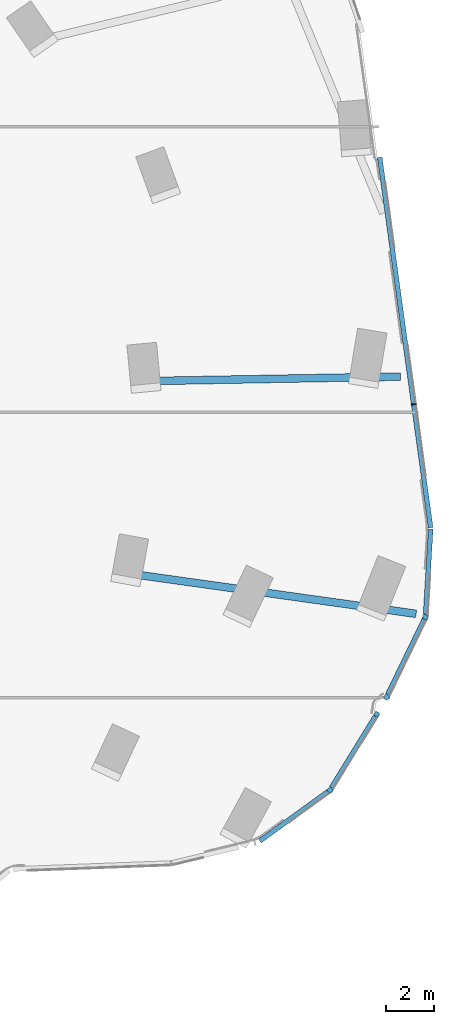
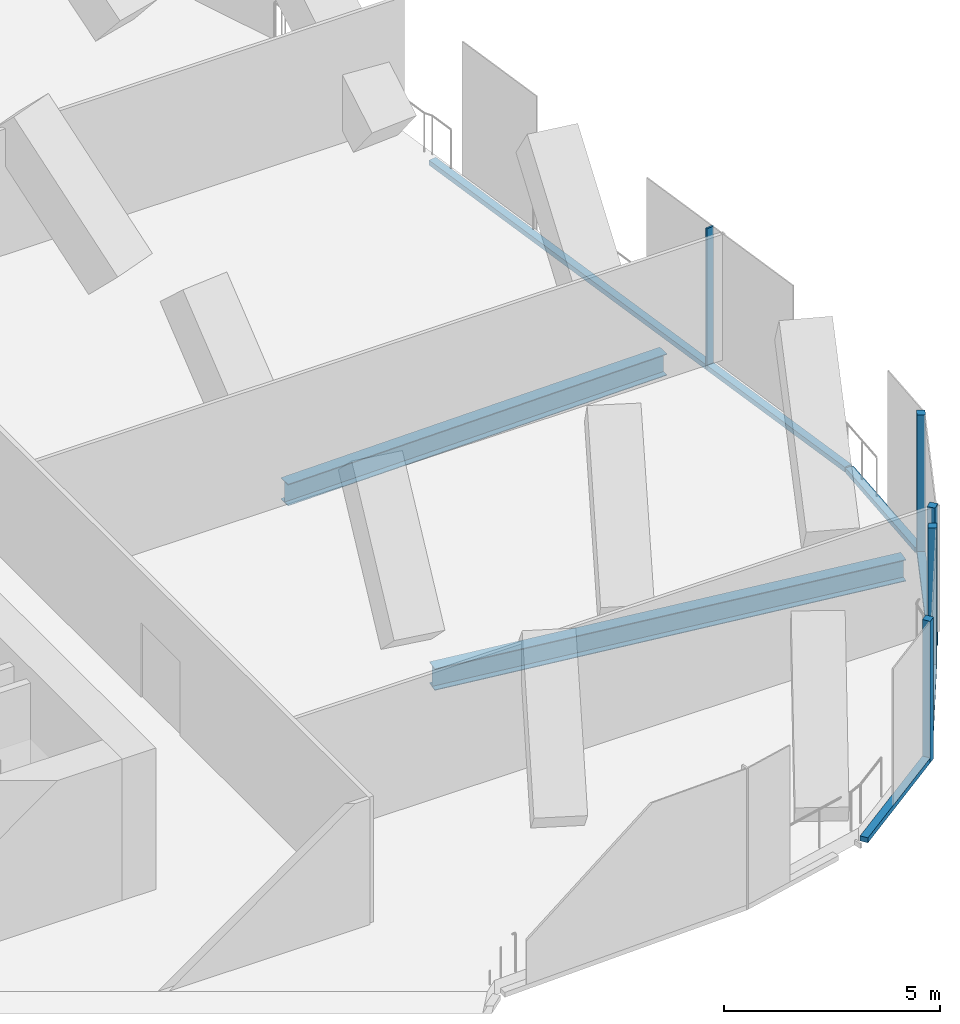
# One storey, part 8 of 29: 10 members, 2 beams, 5 elements without a shape of their own.
"""IFC4 building model written with IfcOpenShell, lengths in metres."""

from ifc_helpers import new_model, si_unit, direction, frame, origin, origin_2d, place, context, subcontext, project, spatial, rectangle, i_section, extrude, material, material_profile, profile_set, type_object, element, aggregate, save


model = new_model("IFC4")

# Units and contexts
model_context = context("Model", 3, precision=1e-05, world=origin(), true_north=direction((0.0, 1.0)))
body_context = subcontext(model_context, "Body", "Model", "MODEL_VIEW")
ifc_project = project(units=[si_unit("LENGTHUNIT", "METRE"), si_unit("AREAUNIT", "SQUARE_METRE"), si_unit("VOLUMEUNIT", "CUBIC_METRE"), si_unit("PLANEANGLEUNIT", "RADIAN"), si_unit("MASSUNIT", "GRAM", prefix="KILO")], contexts=[model_context])

# Site, building, storey
site_placement = place(None, origin())
site = spatial("IfcSite", under=ifc_project, at=site_placement, CompositionType="ELEMENT")
building_placement = place(site_placement, origin())
building = spatial("IfcBuilding", under=site, at=building_placement, Name="Orlundy Tower", CompositionType="ELEMENT")
storey_placement = place(building_placement, frame((0.0, 0.0, 184.60009765625)))
storey = spatial("IfcBuildingStorey", under=building, at=storey_placement, Name="L48", CompositionType="ELEMENT", Elevation=184.60009765625)

# Beams
ifc_material_1 = material(Name="Steel ASTM A992 Gr 50", Category="steel")
ifc_material_profile_1 = material_profile(ifc_material_1, i_section(OverallWidth=0.32373046875, OverallDepth=0.611083984375, WebThickness=0.0126953125, FlangeThickness=0.01904296875, at=origin_2d()), Name="W24X104")
ifc_profile_set_1 = profile_set([ifc_material_profile_1], Name="Steel ASTM A992 Gr 50")
beam_type = type_object("IfcBeamType", Name="CANTILEVER GIRDER beam W24X104", PredefinedType="BEAM", material=ifc_profile_set_1)
beam_1_placement = place(storey_placement, frame((41.038818359375, -8.47412109375, -0.7255859375), z_axis=(-0.990342201898, 0.138644592897, 0.0), x_axis=(-0.138644592897, -0.990342201898, 0.0)))
element("IfcBeam", 1, at=beam_1_placement, inside=storey, type_object=beam_type, Name="Cantilever girder C-A2-5 L48", PredefinedType="BEAM", context=body_context, shape_type="SweptSolid", body=[
    extrude(i_section(OverallWidth=0.32373046875, OverallDepth=0.611083984375, WebThickness=0.0126953125, FlangeThickness=0.01904296875, at=origin_2d()), origin(), (0.0, 0.0, 1.0), 11.7822265625),
])
beam_2_placement = place(storey_placement, frame((40.374755859375, 1.497314453125, -0.7255859375), z_axis=(-0.999845804584, -0.017560383147, 0.0), x_axis=(0.017560383147, -0.999845804584, 0.0)))
element("IfcBeam", 2, at=beam_2_placement, inside=storey, type_object=beam_type, Name="Cantilever girder C-A3-5 L48", PredefinedType="BEAM", context=body_context, shape_type="SweptSolid", body=[
    extrude(i_section(OverallWidth=0.32373046875, OverallDepth=0.611083984375, WebThickness=0.0126953125, FlangeThickness=0.01904296875, at=origin_2d()), origin(), (0.0, 0.0, 1.0), 10.246337890625),
])

# Curtain wall, members
ifc_material_2 = material(Name="Aluminium bronze anodised", Category="aluminium")
curtain_wall_type = type_object("IfcCurtainWallType", Name="CW5 wall", PredefinedType="NOTDEFINED", material=ifc_material_2)
curtain_wall_1_placement = place(storey_placement, origin())
curtain_wall_1 = element("IfcCurtainWall", 3, at=curtain_wall_1_placement, inside=storey, type_object=curtain_wall_type, Name="CW5 run 023", PredefinedType="NOTDEFINED")
ifc_material_3 = material(Name="Aluminium bronze anodised", Category="aluminium")
ifc_material_profile_2 = material_profile(ifc_material_3, rectangle(XDim=0.199951171875, YDim=0.199951171875, at=origin_2d()), Name="CW5 corner post 200x200")
ifc_profile_set_2 = profile_set([ifc_material_profile_2], Name="Aluminium bronze anodised")
member_type_1 = type_object("IfcMemberType", Name="CW5 corner post 200x200", PredefinedType="MULLION", material=ifc_profile_set_2)
member_1_placement = place(storey_placement, frame((41.4306640625, -8.60791015625, -0.420166015625), z_axis=(0.0, 0.0, 1.0), x_axis=(0.899441505342, -0.437041163358, 0.0)))
member_1 = element("IfcMember", 4, at=member_1_placement, type_object=member_type_1, Name="CW5 mullion 36", PredefinedType="MULLION", context=body_context, shape_type="SweptSolid", body=[
    extrude(rectangle(XDim=0.199951171875, YDim=0.199951171875, at=origin_2d()), origin(), (0.0, 0.0, 1.0), 4.0),
])
member_2_placement = place(storey_placement, frame((39.793212890625, -11.9775390625, -0.420166015625), z_axis=(0.0, 0.0, 1.0), x_axis=(0.664363838836, -0.747409318679, 0.0)))
member_2 = element("IfcMember", 5, at=member_2_placement, type_object=member_type_1, Name="CW5 mullion 37", PredefinedType="MULLION", context=body_context, shape_type="SweptSolid", body=[
    extrude(rectangle(XDim=0.199951171875, YDim=0.199951171875, at=origin_2d()), origin(), (0.0, 0.0, 1.0), 4.0),
])

# Curtain wall, member
curtain_wall_2_placement = place(storey_placement, origin())
curtain_wall_2 = element("IfcCurtainWall", 6, at=curtain_wall_2_placement, inside=storey, type_object=curtain_wall_type, Name="CW5 run 026", PredefinedType="NOTDEFINED")
member_3_placement = place(storey_placement, frame((39.379638671875, -12.694580078125, -0.420166015625), z_axis=(0.0, 0.0, 1.0), x_axis=(0.851824977163, -0.523826505898, 0.0)))
member_3 = element("IfcMember", 7, at=member_3_placement, type_object=member_type_1, Name="CW5 mullion 39", PredefinedType="MULLION", context=body_context, shape_type="SweptSolid", body=[
    extrude(rectangle(XDim=0.199951171875, YDim=0.199951171875, at=origin_2d()), origin(), (0.0, 0.0, 1.0), 4.0),
])

curtain_wall_3_placement = place(storey_placement, origin())
curtain_wall_3 = element("IfcCurtainWall", 8, at=curtain_wall_3_placement, inside=storey, type_object=curtain_wall_type, Name="CW5 run 027", PredefinedType="NOTDEFINED")
member_4_placement = place(storey_placement, frame((37.416748046875, -15.88623046875, -0.420166015625), z_axis=(0.0, 0.0, 1.0), x_axis=(0.586534223909, -0.809924443503, 0.0)))
member_4 = element("IfcMember", 9, at=member_4_placement, type_object=member_type_1, Name="CW5 mullion 40", PredefinedType="MULLION", context=body_context, shape_type="SweptSolid", body=[
    extrude(rectangle(XDim=0.199951171875, YDim=0.199951171875, at=origin_2d()), origin(), (0.0, 0.0, 1.0), 4.0),
])

# Curtain wall, members
curtain_wall_4_placement = place(storey_placement, origin())
curtain_wall_4 = element("IfcCurtainWall", 10, at=curtain_wall_4_placement, inside=storey, type_object=curtain_wall_type, Name="CW5 run 021", PredefinedType="NOTDEFINED")
ifc_material_4 = material(Name="Aluminium bronze anodised", Category="aluminium")
ifc_material_profile_3 = material_profile(ifc_material_4, rectangle(XDim=0.199951171875, YDim=0.050048828125, at=origin_2d()), Name="CW5 mullion 50x200")
ifc_profile_set_3 = profile_set([ifc_material_profile_3], Name="Aluminium bronze anodised")
member_type_2 = type_object("IfcMemberType", Name="CW5 mullion 50x200", PredefinedType="MULLION", material=ifc_profile_set_3)
member_5_placement = place(storey_placement, frame((40.9365234375, 0.33251953125, -0.420166015625), z_axis=(0.0, 0.0, 1.0), x_axis=(0.990669519619, 0.13628610677, 0.0)))
member_5 = element("IfcMember", 11, at=member_5_placement, type_object=member_type_2, Name="CW5 mullion 34", PredefinedType="MULLION", context=body_context, shape_type="SweptSolid", body=[
    extrude(rectangle(XDim=0.199951171875, YDim=0.050048828125, at=origin_2d()), origin(), (0.0, 0.0, 1.0), 4.0),
])
ifc_material_5 = material(Name="Aluminium bronze anodised", Category="aluminium")
ifc_material_profile_4 = material_profile(ifc_material_5, rectangle(XDim=0.199951171875, YDim=0.139892578125, at=origin_2d()), Name="CW5 transom 200x140")
ifc_profile_set_4 = profile_set([ifc_material_profile_4], Name="Aluminium bronze anodised")
member_type_3 = type_object("IfcMemberType", Name="CW5 transom 200x140", PredefinedType="USERDEFINED", material=ifc_profile_set_4)
member_6_placement = place(storey_placement, frame((39.509033203125, 10.7099609375, -0.35009765625), z_axis=(0.136276108345, -0.990670895048, 0.0), x_axis=(0.990670895048, 0.136276108345, 0.0)))
member_6 = element("IfcMember", 12, at=member_6_placement, type_object=member_type_3, Name="CW5 transom", ObjectType="TRANSOM", PredefinedType="USERDEFINED", context=body_context, shape_type="SweptSolid", body=[
    extrude(rectangle(XDim=0.199951171875, YDim=0.139892578125, at=origin_2d()), origin(), (0.0, 0.0, 1.0), 15.709716796875),
])
aggregate(curtain_wall_4, [member_5, member_6])

# Curtain wall, member
curtain_wall_5_placement = place(storey_placement, origin())
curtain_wall_5 = element("IfcCurtainWall", 13, at=curtain_wall_5_placement, inside=storey, type_object=curtain_wall_type, Name="CW5 run 022", PredefinedType="NOTDEFINED")
member_7_placement = place(storey_placement, frame((41.65185546875, -4.9033203125, -0.35009765625), z_axis=(-0.059631660798, -0.998220449115, 0.0), x_axis=(0.998220449115, -0.059631660798, 0.0)))
member_7 = element("IfcMember", 14, at=member_7_placement, type_object=member_type_3, Name="CW5 transom", ObjectType="TRANSOM", PredefinedType="USERDEFINED", context=body_context, shape_type="SweptSolid", body=[
    extrude(rectangle(XDim=0.199951171875, YDim=0.139892578125, at=origin_2d()), origin(), (0.0, 0.0, 1.0), 3.602783203125),
])
aggregate(curtain_wall_5, [member_7])

# Member
member_8_placement = place(storey_placement, frame((41.386962890625, -8.69775390625, -0.35009765625), z_axis=(-0.437055495496, -0.899434541174, 0.0), x_axis=(0.899434541174, -0.437055495496, 0.0)))
member_8 = element("IfcMember", 15, at=member_8_placement, type_object=member_type_3, Name="CW5 transom", ObjectType="TRANSOM", PredefinedType="USERDEFINED", context=body_context, shape_type="SweptSolid", body=[
    extrude(rectangle(XDim=0.199951171875, YDim=0.139892578125, at=origin_2d()), origin(), (0.0, 0.0, 1.0), 3.5380859375),
])

aggregate(curtain_wall_1, [member_1, member_2, member_8])

member_9_placement = place(storey_placement, frame((39.3271484375, -12.779541015625, -0.35009765625), z_axis=(-0.523808721325, -0.851835913462, 0.0), x_axis=(0.851835913462, -0.523808721325, 0.0)))
member_9 = element("IfcMember", 16, at=member_9_placement, type_object=member_type_3, Name="CW5 transom", ObjectType="TRANSOM", PredefinedType="USERDEFINED", context=body_context, shape_type="SweptSolid", body=[
    extrude(rectangle(XDim=0.199951171875, YDim=0.139892578125, at=origin_2d()), origin(), (0.0, 0.0, 1.0), 3.5390625),
])

aggregate(curtain_wall_2, [member_3, member_9])

member_10_placement = place(storey_placement, frame((37.335693359375, -15.945068359375, -0.35009765625), z_axis=(-0.809916122621, -0.58654571375, 0.0), x_axis=(0.58654571375, -0.809916122621, 0.0)))
member_10 = element("IfcMember", 17, at=member_10_placement, type_object=member_type_3, Name="CW5 transom", ObjectType="TRANSOM", PredefinedType="USERDEFINED", context=body_context, shape_type="SweptSolid", body=[
    extrude(rectangle(XDim=0.199951171875, YDim=0.139892578125, at=origin_2d()), origin(), (0.0, 0.0, 1.0), 3.5380859375),
])

aggregate(curtain_wall_3, [member_4, member_10])

save(model, "model.ifc")
